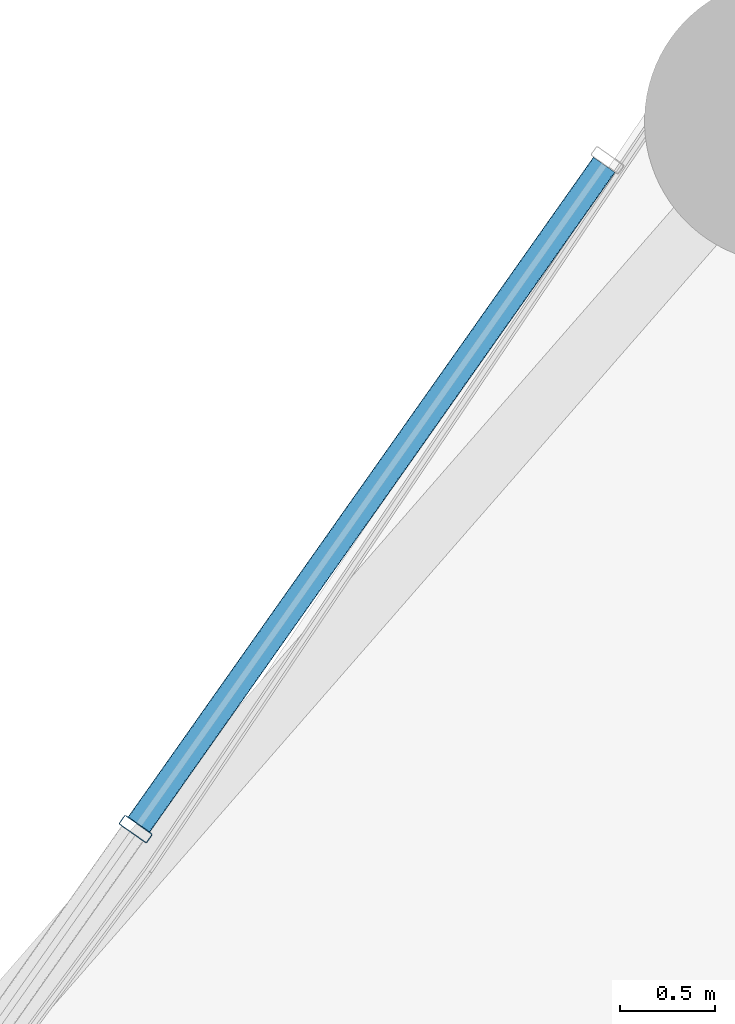
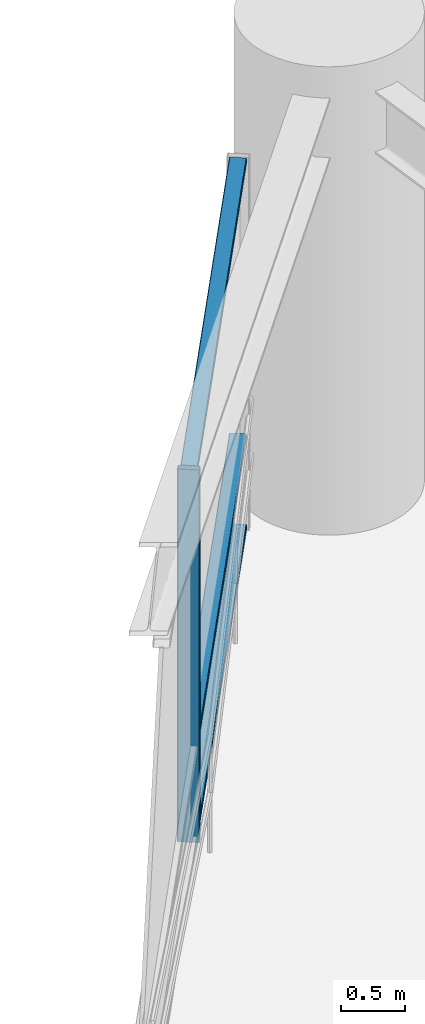
# One storey, part 33 of 55: 4 members, 1 element without a shape of its own.
"""IFC4 building model written with IfcOpenShell, lengths in metres."""

from ifc_helpers import new_model, si_unit, direction, frame, origin, origin_2d, place, context, subcontext, project, spatial, hollow_rectangle, extrude, material, layer, layer_set, material_profile, profile_set, type_object, element, aggregate, save


model = new_model("IFC4")

# Units and contexts
model_context = context("Model", 3, precision=1e-05, world=origin(), true_north=direction((0.0, 1.0)))
body_context = subcontext(model_context, "Body", "Model", "MODEL_VIEW")
ifc_project = project(units=[si_unit("LENGTHUNIT", "METRE"), si_unit("AREAUNIT", "SQUARE_METRE"), si_unit("VOLUMEUNIT", "CUBIC_METRE"), si_unit("PLANEANGLEUNIT", "RADIAN"), si_unit("MASSUNIT", "GRAM", prefix="KILO")], contexts=[model_context])

# Site, building, storey
site_placement = place(None, origin())
site = spatial("IfcSite", under=ifc_project, at=site_placement, CompositionType="ELEMENT")
building_placement = place(site_placement, origin())
building = spatial("IfcBuilding", under=site, at=building_placement, Name="Kelanora Arch Commons", CompositionType="ELEMENT")
storey_placement = place(building_placement, frame((0.0, 0.0, 4.5)))
storey = spatial("IfcBuildingStorey", under=building, at=storey_placement, Name="L01", CompositionType="ELEMENT", Elevation=4.5)

# Curtain wall, members
ifc_material_1 = material(Name="Terracotta ceramic-fritted low-E glass and aluminium", Category="masonry")
ifc_layer = layer(ifc_material_1, 0.2099609375)
ifc_layer_set = layer_set([ifc_layer], Name="Terracotta ceramic-fritted low-E glass and aluminium")
curtain_wall_type = type_object("IfcCurtainWallType", Name="CW-SYS-04", PredefinedType="NOTDEFINED", material=ifc_layer_set)
curtain_wall_placement = place(storey_placement, origin())
curtain_wall = element("IfcCurtainWall", 1, at=curtain_wall_placement, inside=storey, type_object=curtain_wall_type, Name="Unitised Curtain Wall L01-B05", PredefinedType="NOTDEFINED")
ifc_material_2 = material(Name="Powder-coated aluminium terracotta", Category="masonry")
ifc_material_profile_1 = material_profile(ifc_material_2, hollow_rectangle(XDim=0.179931640625, YDim=0.06005859375, WallThickness=0.0048828125, InnerFilletRadius=0.0048828125, OuterFilletRadius=0.010009765625, at=origin_2d()), Name="CWM180x60")
ifc_profile_set_1 = profile_set([ifc_material_profile_1], Name="Powder-coated aluminium terracotta")
member_type_1 = type_object("IfcMemberType", Name="CWM-HVY", PredefinedType="MULLION", material=ifc_profile_set_1)
member_1_placement = place(storey_placement, frame((65.8740234375, 77.9921875, 0.0), z_axis=(0.0, 0.0, 1.0), x_axis=(0.817206133555, -0.576345499922, 0.0)))
member_1 = element("IfcMember", 2, at=member_1_placement, type_object=member_type_1, Name="CW-04 mullion 2", PredefinedType="MULLION", context=body_context, shape_type="SweptSolid", body=[
    extrude(hollow_rectangle(XDim=0.179931640625, YDim=0.06005859375, WallThickness=0.0048828125, InnerFilletRadius=0.0048828125, OuterFilletRadius=0.010009765625, at=origin_2d()), origin(), (0.0, 0.0, 1.0), 3.580078125),
])
ifc_material_profile_2 = material_profile(ifc_material_2, hollow_rectangle(XDim=0.139892578125, YDim=0.06005859375, WallThickness=0.0048828125, InnerFilletRadius=0.0048828125, OuterFilletRadius=0.010009765625, at=origin_2d()), Name="CWT140x60")
ifc_profile_set_2 = profile_set([ifc_material_profile_2], Name="Powder-coated aluminium terracotta")
member_type_2 = type_object("IfcMemberType", Name="CWT-HVY", PredefinedType="USERDEFINED", material=ifc_profile_set_2)
member_2_placement = place(storey_placement, frame((68.3359375, 81.48291015625, 0.030029296875), z_axis=(-0.576359985732, -0.817195917052, 0.0), x_axis=(0.817195917052, -0.576359985732, 0.0)))
member_2 = element("IfcMember", 3, at=member_2_placement, type_object=member_type_2, Name="CW-04 transom 1.1", ObjectType="TRANSOM", PredefinedType="USERDEFINED", context=body_context, shape_type="SweptSolid", body=[
    extrude(hollow_rectangle(XDim=0.139892578125, YDim=0.06005859375, WallThickness=0.0048828125, InnerFilletRadius=0.0048828125, OuterFilletRadius=0.010009765625, at=origin_2d()), origin(), (0.0, 0.0, 1.0), 4.241455078125),
])
member_3_placement = place(storey_placement, frame((68.3359375, 81.48291015625, 0.89990234375), z_axis=(-0.576359985732, -0.817195917052, 0.0), x_axis=(0.817195917052, -0.576359985732, 0.0)))
member_3 = element("IfcMember", 4, at=member_3_placement, type_object=member_type_2, Name="CW-04 transom 1.2", ObjectType="TRANSOM", PredefinedType="USERDEFINED", context=body_context, shape_type="SweptSolid", body=[
    extrude(hollow_rectangle(XDim=0.139892578125, YDim=0.06005859375, WallThickness=0.0048828125, InnerFilletRadius=0.0048828125, OuterFilletRadius=0.010009765625, at=origin_2d()), origin(), (0.0, 0.0, 1.0), 4.241455078125),
])
member_4_placement = place(storey_placement, frame((68.3359375, 81.48291015625, 3.550048828125), z_axis=(-0.576359985732, -0.817195917052, 0.0), x_axis=(0.817195917052, -0.576359985732, 0.0)))
member_4 = element("IfcMember", 5, at=member_4_placement, type_object=member_type_2, Name="CW-04 transom 1.3", ObjectType="TRANSOM", PredefinedType="USERDEFINED", context=body_context, shape_type="SweptSolid", body=[
    extrude(hollow_rectangle(XDim=0.139892578125, YDim=0.06005859375, WallThickness=0.0048828125, InnerFilletRadius=0.0048828125, OuterFilletRadius=0.010009765625, at=origin_2d()), origin(), (0.0, 0.0, 1.0), 4.241455078125),
])
aggregate(curtain_wall, [member_1, member_2, member_3, member_4])

save(model, "model.ifc")
